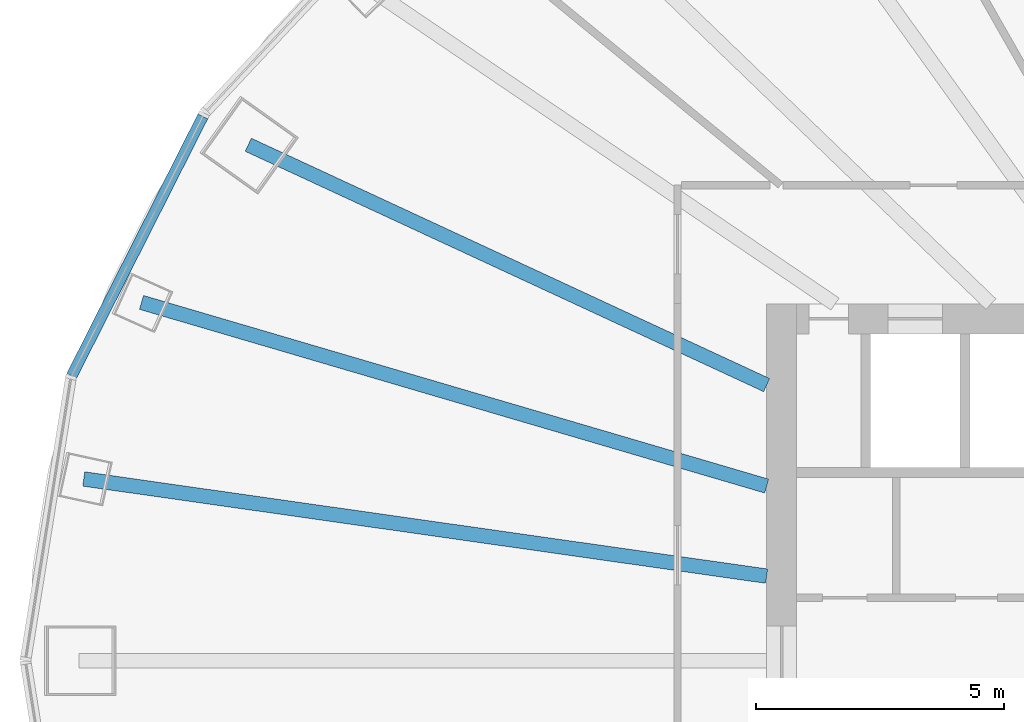
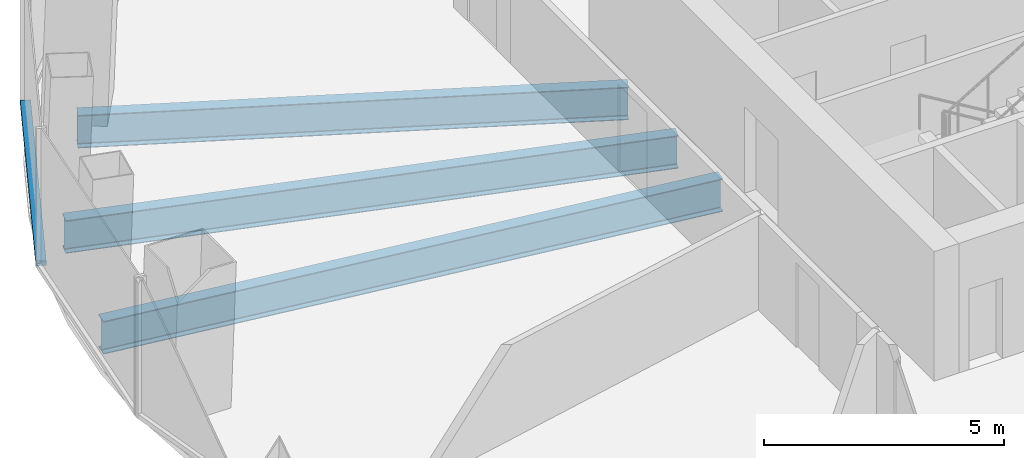
# One storey, part 3 of 11: 3 beams, 1 member, 1 element without a shape of its own.
"""IFC4 building model written with IfcOpenShell, lengths in metres."""

from ifc_helpers import new_model, si_unit, direction, frame, origin, origin_2d, place, context, subcontext, project, spatial, rectangle, i_section, extrude, material, layer, layer_set, material_profile, profile_set, type_object, element, aggregate, save


model = new_model("IFC4")

# Units and contexts
model_context = context("Model", 3, precision=1e-05, world=origin(), true_north=direction((0.0, 1.0)))
body_context = subcontext(model_context, "Body", "Model", "MODEL_VIEW")
ifc_project = project(units=[si_unit("LENGTHUNIT", "METRE"), si_unit("AREAUNIT", "SQUARE_METRE"), si_unit("VOLUMEUNIT", "CUBIC_METRE"), si_unit("PLANEANGLEUNIT", "RADIAN"), si_unit("MASSUNIT", "GRAM", prefix="KILO")], contexts=[model_context])

# Site, building, storey
site_placement = place(None, origin())
site = spatial("IfcSite", under=ifc_project, at=site_placement, CompositionType="ELEMENT")
building_placement = place(site_placement, origin())
building = spatial("IfcBuilding", under=site, at=building_placement, Name="Siaravel Broadcast Tower", CompositionType="ELEMENT")
storey_placement = place(building_placement, frame((0.0, 0.0, 74.10009765625)))
storey = spatial("IfcBuildingStorey", under=building, at=storey_placement, Name="L17", CompositionType="ELEMENT", Elevation=74.10009765625)

# Beams
ifc_material_1 = material(Name="Steel S355", Category="steel")
ifc_material_profile_1 = material_profile(ifc_material_1, i_section(OverallWidth=0.291748046875, OverallDepth=0.8349609375, WebThickness=0.013916015625, FlangeThickness=0.018798828125, FilletRadius=0.017822265625, at=origin_2d()))
ifc_profile_set_1 = profile_set([ifc_material_profile_1], Name="Steel S355")
beam_type = type_object("IfcBeamType", Name="BM-UB 838x292x176", PredefinedType="BEAM", material=ifc_profile_set_1)
beam_1_placement = place(storey_placement, frame((-22.464111328125, 10.4150390625, -0.567626953125), z_axis=(0.907241267, -0.420610607, 0.0), x_axis=(0.420610607, 0.907241267, 0.0)))
element("IfcBeam", 1, at=beam_1_placement, inside=storey, type_object=beam_type, Name="Radial beam RB16", PredefinedType="BEAM", context=body_context, shape_type="SweptSolid", body=[
    extrude(i_section(OverallWidth=0.291748046875, OverallDepth=0.8349609375, WebThickness=0.013916015625, FlangeThickness=0.018798828125, FilletRadius=0.017822265625, at=origin_2d()), origin(), (0.0, 0.0, 1.0), 11.533935546875),
])
beam_2_placement = place(storey_placement, frame((-24.61962890625, 7.23291015625, -0.567626953125), z_axis=(0.959450581, -0.281876892, 0.0), x_axis=(0.281876892, 0.959450581, 0.0)))
element("IfcBeam", 2, at=beam_2_placement, inside=storey, type_object=beam_type, Name="Radial beam RB17", PredefinedType="BEAM", context=body_context, shape_type="SweptSolid", body=[
    extrude(i_section(OverallWidth=0.291748046875, OverallDepth=0.8349609375, WebThickness=0.013916015625, FlangeThickness=0.018798828125, FilletRadius=0.017822265625, at=origin_2d()), origin(), (0.0, 0.0, 1.0), 13.153076171875),
])
beam_3_placement = place(storey_placement, frame((-25.78564453125, 3.6689453125, -0.567626953125), z_axis=(0.990029287, -0.140861674, 0.0), x_axis=(0.140861674, 0.990029287, 0.0)))
element("IfcBeam", 3, at=beam_3_placement, inside=storey, type_object=beam_type, Name="Radial beam RB18", PredefinedType="BEAM", context=body_context, shape_type="SweptSolid", body=[
    extrude(i_section(OverallWidth=0.291748046875, OverallDepth=0.8349609375, WebThickness=0.013916015625, FlangeThickness=0.018798828125, FilletRadius=0.017822265625, at=origin_2d()), origin(), (0.0, 0.0, 1.0), 13.924560546875),
])

# Curtain wall, member
ifc_material_2 = material(Name="Aluminium 6063-T6", Category="aluminium")
ifc_layer = layer(ifc_material_2, 0.219970703125)
ifc_layer_set = layer_set([ifc_layer], Name="Aluminium 6063-T6")
curtain_wall_type = type_object("IfcCurtainWallType", Name="Unitised curtain wall, zone 1", PredefinedType="NOTDEFINED", material=ifc_layer_set)
curtain_wall_placement = place(storey_placement, origin())
curtain_wall = element("IfcCurtainWall", 4, at=curtain_wall_placement, inside=storey, type_object=curtain_wall_type, Name="L17 Unitised curtain wall, zone 1 06", PredefinedType="NOTDEFINED")
ifc_material_profile_2 = material_profile(ifc_material_2, rectangle(XDim=0.219970703125, YDim=0.1201171875, at=origin_2d()))
ifc_profile_set_2 = profile_set([ifc_material_profile_2], Name="Aluminium 6063-T6")
member_type = type_object("IfcMemberType", Name="CW-Z1 transom", PredefinedType="USERDEFINED", material=ifc_profile_set_2)
member_placement = place(storey_placement, frame((-23.38037109375, 10.989013671875, 0.059814453125), z_axis=(-0.451253077, -0.892396022, 0.0), x_axis=(0.892396022, -0.451253077, 0.0)))
member = element("IfcMember", 5, at=member_placement, type_object=member_type, Name="CW-Z1 transom 1", ObjectType="TRANSOM", PredefinedType="USERDEFINED", context=body_context, shape_type="SweptSolid", body=[
    extrude(rectangle(XDim=0.219970703125, YDim=0.1201171875, at=origin_2d()), origin(), (0.0, 0.0, 1.0), 5.867919921875),
])
aggregate(curtain_wall, [member])

save(model, "model.ifc")
